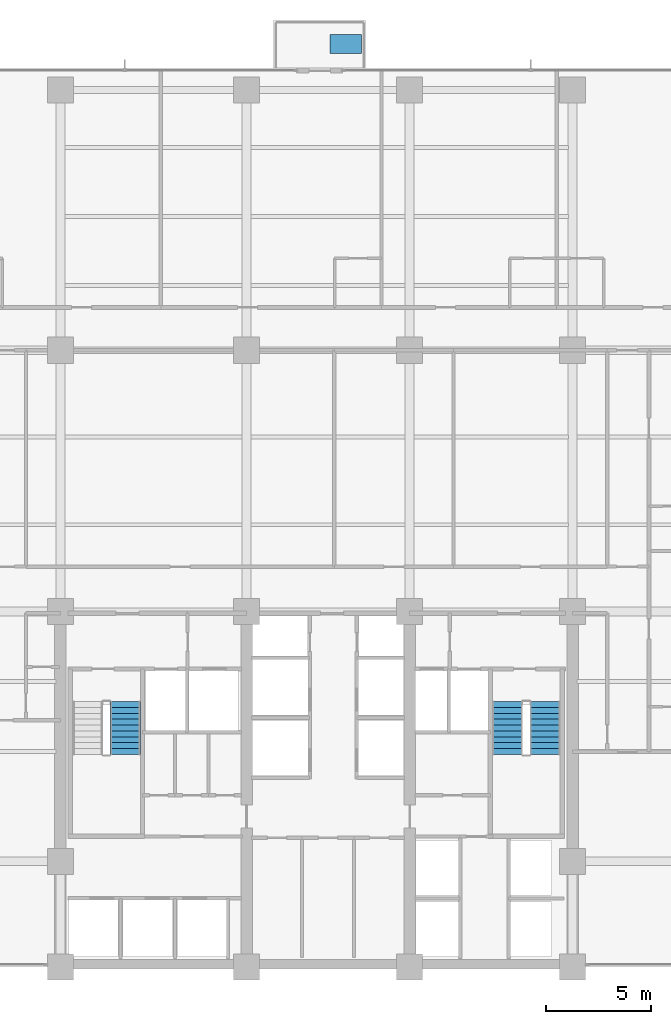
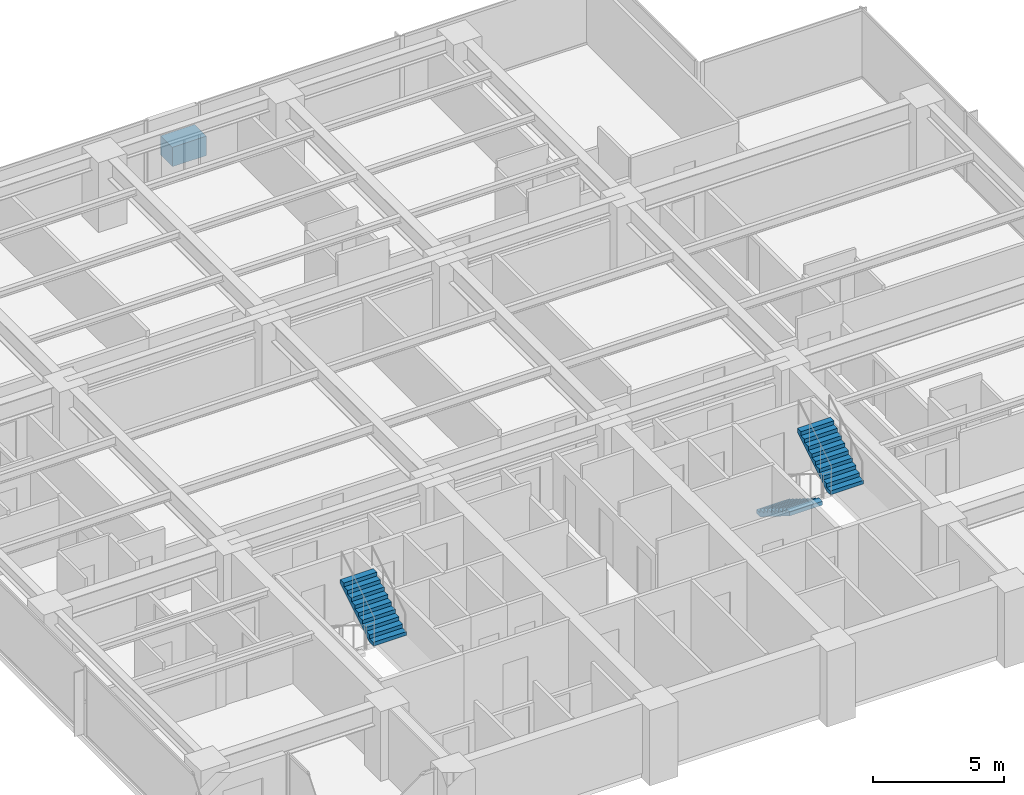
# One storey, part 12 of 17: 3 stair flights, 1 discrete accessory, 2 elements without a shape of their own.
"""IFC4 building model written with IfcOpenShell, lengths in metres."""

from ifc_helpers import new_model, si_unit, direction, frame, origin, place, context, subcontext, project, spatial, polyline, outline, extrude, material, layer, layer_set, type_object, element, aggregate, save


model = new_model("IFC4")

# Units and contexts
model_context = context("Model", 3, precision=1e-05, world=origin(), true_north=direction((0.0, 1.0)))
body_context = subcontext(model_context, "Body", "Model", "MODEL_VIEW")
ifc_project = project(units=[si_unit("LENGTHUNIT", "METRE"), si_unit("AREAUNIT", "SQUARE_METRE"), si_unit("VOLUMEUNIT", "CUBIC_METRE"), si_unit("PLANEANGLEUNIT", "RADIAN"), si_unit("MASSUNIT", "GRAM", prefix="KILO")], contexts=[model_context])

# Site, building, storey
site_placement = place(None, origin())
site = spatial("IfcSite", under=ifc_project, at=site_placement, CompositionType="ELEMENT")
building_placement = place(site_placement, origin())
building = spatial("IfcBuilding", under=site, at=building_placement, Name="Qalmaran Belvedere Hotel", CompositionType="ELEMENT")
storey_placement = place(building_placement, frame((0.0, 0.0, 98.699951171875)))
storey = spatial("IfcBuildingStorey", under=building, at=storey_placement, Name="L24", CompositionType="ELEMENT", Elevation=98.699951171875)

# Stair, stair flight
ifc_material = material(Name="Concrete C40/50", Category="concrete")
stair_type_1 = type_object("IfcStairType", Name="STR-ST-1-1450-R1750", PredefinedType="HALF_TURN_STAIR", material=ifc_material)
stair_1_placement = place(storey_placement, origin())
stair_1 = element("IfcStair", 1, at=stair_1_placement, inside=storey, type_object=stair_type_1, Name="L24 West Core Exit Stair ST-1", PredefinedType="HALF_TURN_STAIR")
ifc_layer_1 = layer(ifc_material, 0.14990234375, Name="Concrete C40/50")
ifc_layer_set_1 = layer_set([ifc_layer_1], Name="Concrete C40/50")
stair_flight_type_1 = type_object("IfcStairFlightType", Name="STF-ST-1-1450-R1750", PredefinedType="STRAIGHT", material=ifc_layer_set_1)
stair_flight_1_placement = place(storey_placement, frame((23.39501953125, 13.669921875, 1.75), z_axis=(0.0, 0.0, 1.0), x_axis=(0.0, 1.0, 0.0)))
stair_flight_1 = element("IfcStairFlight", 2, at=stair_flight_1_placement, type_object=stair_flight_type_1, Name="ST-1 flight 2", NumberOfRisers=10, NumberOfTreads=9, PredefinedType="STRAIGHT", RiserHeight=0.175, TreadLength=0.28, context=body_context, shape_type="SweptSolid", body=[
    extrude(outline(polyline([(0.0, 0.0), (0.0, 0.175048828125), (0.280029296875, 0.175048828125), (0.280029296875, 0.35009765625), (0.56005859375, 0.35009765625), (0.56005859375, 0.52490234375), (0.840087890625, 0.52490234375), (0.840087890625, 0.699951171875), (1.1201171875, 0.699951171875), (1.1201171875, 0.875), (1.39990234375, 0.875), (1.39990234375, 1.050048828125), (1.679931640625, 1.050048828125), (1.679931640625, 1.22509765625), (1.9599609375, 1.22509765625), (1.9599609375, 1.39990234375), (2.239990234375, 1.39990234375), (2.239990234375, 1.574951171875), (2.52001953125, 1.574951171875), (2.52001953125, 1.75), (2.52001953125, 1.398193359375), (0.28271484375, 0.0), (0.0, 0.0)])), frame((0.0, 0.72509765625, 0.0), z_axis=(0.0, -1.0, 0.0), x_axis=(1.0, 0.0, 0.0)), (0.0, 0.0, 1.0), 1.449951171875),
])
aggregate(stair_1, [stair_flight_1])

# Stair, stair flights
stair_type_2 = type_object("IfcStairType", Name="STR-ST-2-1450-R1750", PredefinedType="HALF_TURN_STAIR", material=ifc_material)
stair_2_placement = place(storey_placement, origin())
stair_2 = element("IfcStair", 3, at=stair_2_placement, inside=storey, type_object=stair_type_2, Name="L24 East Core Exit Stair ST-2", PredefinedType="HALF_TURN_STAIR")
ifc_layer_2 = layer(ifc_material, 0.14990234375, Name="Concrete C40/50")
ifc_layer_set_2 = layer_set([ifc_layer_2], Name="Concrete C40/50")
stair_flight_type_2 = type_object("IfcStairFlightType", Name="STF-ST-2-1450-R1750", PredefinedType="STRAIGHT", material=ifc_layer_set_2)
stair_flight_2_placement = place(storey_placement, frame((41.68505859375, 16.18994140625, 0.0), z_axis=(0.0, 0.0, 1.0), x_axis=(0.0, -1.0, 0.0)))
stair_flight_2 = element("IfcStairFlight", 4, at=stair_flight_2_placement, type_object=stair_flight_type_2, Name="ST-2 flight 1", NumberOfRisers=10, NumberOfTreads=9, PredefinedType="STRAIGHT", RiserHeight=0.175, TreadLength=0.28, context=body_context, shape_type="SweptSolid", body=[
    extrude(outline(polyline([(0.0, 0.0), (0.0, 0.175048828125), (0.280029296875, 0.175048828125), (0.280029296875, 0.35009765625), (0.56005859375, 0.35009765625), (0.56005859375, 0.52490234375), (0.840087890625, 0.52490234375), (0.840087890625, 0.699951171875), (1.1201171875, 0.699951171875), (1.1201171875, 0.875), (1.39990234375, 0.875), (1.39990234375, 1.050048828125), (1.679931640625, 1.050048828125), (1.679931640625, 1.22509765625), (1.9599609375, 1.22509765625), (1.9599609375, 1.39990234375), (2.239990234375, 1.39990234375), (2.239990234375, 1.574951171875), (2.52001953125, 1.574951171875), (2.52001953125, 1.75), (2.52001953125, 1.398193359375), (0.28271484375, 0.0), (0.0, 0.0)])), frame((0.0, 0.72509765625, 0.0), z_axis=(0.0, -1.0, 0.0), x_axis=(1.0, 0.0, 0.0)), (0.0, 0.0, 1.0), 1.449951171875),
])
stair_flight_3_placement = place(storey_placement, frame((43.47509765625, 13.669921875, 1.75), z_axis=(0.0, 0.0, 1.0), x_axis=(0.0, 1.0, 0.0)))
stair_flight_3 = element("IfcStairFlight", 5, at=stair_flight_3_placement, type_object=stair_flight_type_2, Name="ST-2 flight 2", NumberOfRisers=10, NumberOfTreads=9, PredefinedType="STRAIGHT", RiserHeight=0.175, TreadLength=0.28, context=body_context, shape_type="SweptSolid", body=[
    extrude(outline(polyline([(0.0, 0.0), (0.0, 0.175048828125), (0.280029296875, 0.175048828125), (0.280029296875, 0.35009765625), (0.56005859375, 0.35009765625), (0.56005859375, 0.52490234375), (0.840087890625, 0.52490234375), (0.840087890625, 0.699951171875), (1.1201171875, 0.699951171875), (1.1201171875, 0.875), (1.39990234375, 0.875), (1.39990234375, 1.050048828125), (1.679931640625, 1.050048828125), (1.679931640625, 1.22509765625), (1.9599609375, 1.22509765625), (1.9599609375, 1.39990234375), (2.239990234375, 1.39990234375), (2.239990234375, 1.574951171875), (2.52001953125, 1.574951171875), (2.52001953125, 1.75), (2.52001953125, 1.398193359375), (0.28271484375, 0.0), (0.0, 0.0)])), frame((0.0, 0.72509765625, 0.0), z_axis=(0.0, -1.0, 0.0), x_axis=(1.0, 0.0, 0.0)), (0.0, 0.0, 1.0), 1.449951171875),
])
aggregate(stair_2, [stair_flight_2, stair_flight_3])

# Discrete accessory
discrete_accessory_type = type_object("IfcDiscreteAccessoryType", Name="PLN-BAL-1500", PredefinedType="USERDEFINED", material=ifc_material)
discrete_accessory_placement = place(storey_placement, origin())
element("IfcDiscreteAccessory", 6, at=discrete_accessory_placement, inside=storey, type_object=discrete_accessory_type, Name="L24 Sky Tree Planter", ObjectType="PLANTER", PredefinedType="USERDEFINED", context=body_context, shape_type="SweptSolid", body=[
    extrude(outline(polyline([(33.199951171875, 47.199951171875), (34.699951171875, 47.199951171875), (34.699951171875, 48.10009765625), (33.199951171875, 48.10009765625), (33.199951171875, 47.199951171875)])), origin(), (0.0, 0.0, 1.0), 0.900146484375),
])

save(model, "model.ifc")
